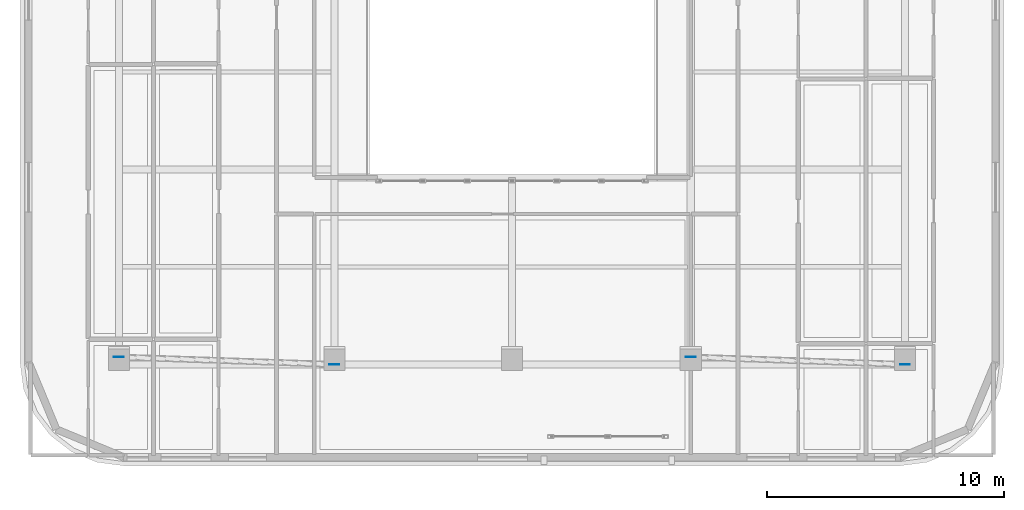
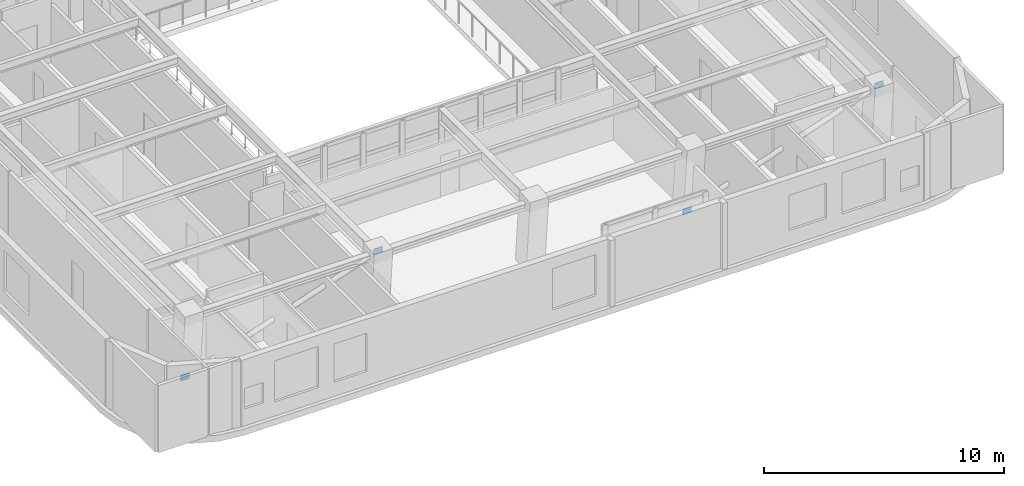
# One storey, part 6 of 14: 4 plates.
"""IFC4 building model written with IfcOpenShell, lengths in metres."""

from ifc_helpers import new_model, si_unit, direction, frame, origin, origin_2d, place, context, subcontext, project, spatial, rectangle, extrude, material, layer, layer_set, type_object, element, save


model = new_model("IFC4")

# Units and contexts
model_context = context("Model", 3, precision=1e-05, world=origin(), true_north=direction((0.0, 1.0)))
body_context = subcontext(model_context, "Body", "Model", "MODEL_VIEW")
ifc_project = project(units=[si_unit("LENGTHUNIT", "METRE"), si_unit("AREAUNIT", "SQUARE_METRE"), si_unit("VOLUMEUNIT", "CUBIC_METRE"), si_unit("PLANEANGLEUNIT", "RADIAN"), si_unit("MASSUNIT", "GRAM", prefix="KILO")], contexts=[model_context])

# Site, building, storey
site_placement = place(None, origin())
site = spatial("IfcSite", under=ifc_project, at=site_placement, CompositionType="ELEMENT")
building_placement = place(site_placement, origin())
building = spatial("IfcBuilding", under=site, at=building_placement, Name="Zarnavel Station Tower", CompositionType="ELEMENT")
storey_placement = place(building_placement, frame((0.0, 0.0, 258.39990234375)))
storey = spatial("IfcBuildingStorey", under=building, at=storey_placement, Name="L70", CompositionType="ELEMENT", Elevation=258.39990234375)

# Plates
ifc_material = material(Name="Steel S460M", Category="steel")
ifc_layer = layer(ifc_material, 0.02490234375)
ifc_layer_set = layer_set([ifc_layer], Name="GP_GUSSET_25")
plate_type = type_object("IfcPlateType", Name="GP_GUSSET_25", PredefinedType="USERDEFINED", material=ifc_layer_set)
for number, where, z_axis, x_axis, name in (
    (1, (12.199951171875, 2.811767578125, -0.14990234375), (0.0, 0.0, 1.0), (1.0, 0.0, 0.0), "L70 Exterior Diagonal Brace End Gusset 1-1"),
    (2, (21.300048828125, 2.501708984375, 3.27001953125), (0.0, 0.0, 1.0), (1.0, 0.0, 0.0), "L70 Exterior Diagonal Brace End Gusset 1-2"),
    (3, (36.35009765625, 2.811767578125, -0.14990234375), (0.0, 0.0, 1.0), (1.0, 0.0, 0.0), "L70 Exterior Diagonal Brace End Gusset 2-1"),
    (4, (45.39990234375, 2.501708984375, 3.27001953125), (0.0, 0.0, 1.0), (1.0, 0.0, 0.0), "L70 Exterior Diagonal Brace End Gusset 2-2"),
):
    element("IfcPlate", number, at=place(storey_placement, frame(where, z_axis=z_axis, x_axis=x_axis)), inside=storey, type_object=plate_type, Name=name, ObjectType="GUSSET_PLATE", PredefinedType="USERDEFINED", context=body_context, shape_type="SweptSolid", body=[
        extrude(rectangle(XDim=0.419921875, YDim=0.02490234375, at=origin_2d()), origin(), (0.0, 0.0, 1.0), 0.300048828125),
    ])

save(model, "model.ifc")
